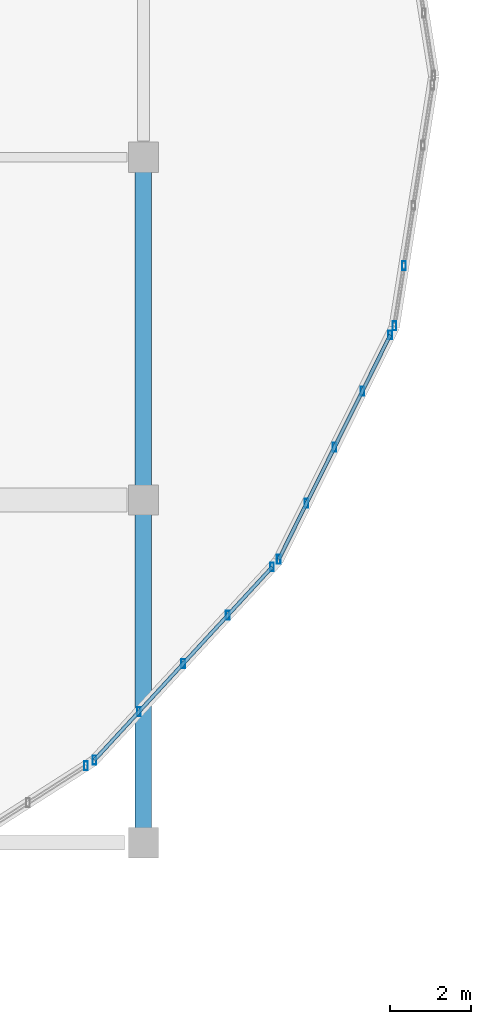
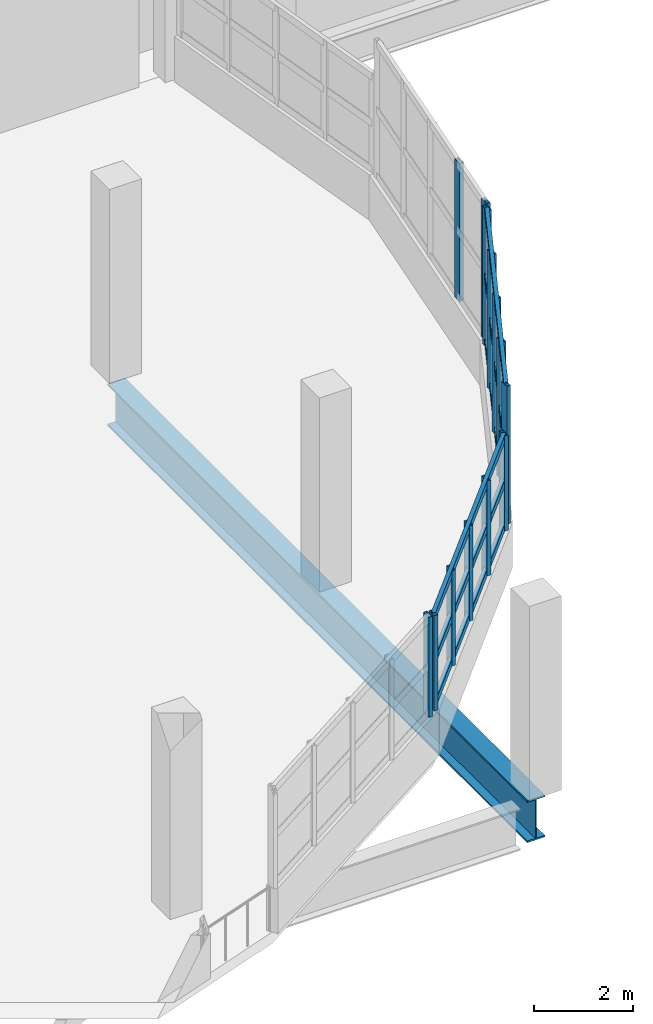
# One storey, part 24 of 117: 19 members, 1 beam, 4 elements without a shape of their own.
"""IFC4 building model written with IfcOpenShell, lengths in metres."""

from ifc_helpers import new_model, si_unit, direction, frame, origin, origin_2d, place, context, subcontext, project, spatial, hollow_rectangle, i_section, extrude, material, material_profile, profile_set, type_object, element, aggregate, save


model = new_model("IFC4")

# Units and contexts
model_context = context("Model", 3, precision=1e-05, world=origin(), true_north=direction((0.0, 1.0)))
body_context = subcontext(model_context, "Body", "Model", "MODEL_VIEW")
ifc_project = project(units=[si_unit("LENGTHUNIT", "METRE"), si_unit("AREAUNIT", "SQUARE_METRE"), si_unit("VOLUMEUNIT", "CUBIC_METRE"), si_unit("PLANEANGLEUNIT", "RADIAN"), si_unit("MASSUNIT", "GRAM", prefix="KILO")], contexts=[model_context])

# Site, building, storey
site_placement = place(None, origin())
site = spatial("IfcSite", under=ifc_project, at=site_placement, CompositionType="ELEMENT")
building_placement = place(site_placement, origin())
building = spatial("IfcBuilding", under=site, at=building_placement, Name="Solvento Point Concert Hall", CompositionType="ELEMENT")
storey_placement = place(building_placement, frame((0.0, 0.0, 5.39990234375)))
storey = spatial("IfcBuildingStorey", under=building, at=storey_placement, Name="L01", CompositionType="ELEMENT", Elevation=5.39990234375)

# Beam
ifc_material_1 = material(Name="Structural Steel ASTM A992 Grade 50", Category="steel")
ifc_material_profile_1 = material_profile(ifc_material_1, i_section(OverallWidth=0.408935546875, OverallDepth=1.041015625, WebThickness=0.031005859375, FlangeThickness=0.04443359375, at=origin_2d()), Name="W40X397")
ifc_profile_set_1 = profile_set([ifc_material_profile_1], Name="Structural Steel ASTM A992 Grade 50")
beam_type = type_object("IfcBeamType", Name="CantileverGirder_W40X397", PredefinedType="USERDEFINED", material=ifc_profile_set_1)
beam_placement = place(storey_placement, frame((82.800048828125, 34.0, -0.805419921875), z_axis=(0.0, -1.0, 0.0), x_axis=(1.0, 0.0, 0.0)))
element("IfcBeam", 1, at=beam_placement, inside=storey, type_object=beam_type, Name="Radial back-span girder CG-01 L01", ObjectType="GIRDER", PredefinedType="USERDEFINED", context=body_context, shape_type="SweptSolid", body=[
    extrude(i_section(OverallWidth=0.408935546875, OverallDepth=1.041015625, WebThickness=0.031005859375, FlangeThickness=0.04443359375, at=origin_2d()), origin(), (0.0, 0.0, 1.0), 17.0),
])

# Curtain wall, members
ifc_material_2 = material(Name="Anodized Bronze Aluminium", Category="aluminium")
curtain_wall_type = type_object("IfcCurtainWallType", Name="CurtainWall_RingRibbon_L01_02", PredefinedType="USERDEFINED", material=ifc_material_2)
curtain_wall_1_placement = place(storey_placement, origin())
curtain_wall_1 = element("IfcCurtainWall", 2, at=curtain_wall_1_placement, inside=storey, type_object=curtain_wall_type, Name="Unitised curtain wall CW-59 UCW-L01-107", ObjectType="UNITISED CURTAIN WALL", PredefinedType="USERDEFINED")
ifc_material_3 = material(Name="Anodized Bronze Aluminium", Category="aluminium")
ifc_material_profile_2 = material_profile(ifc_material_3, hollow_rectangle(XDim=0.090087890625, YDim=0.219970703125, WallThickness=0.00439453125, at=origin_2d()), Name="CW-MUL-90X220")
ifc_profile_set_2 = profile_set([ifc_material_profile_2], Name="Anodized Bronze Aluminium")
member_type_1 = type_object("IfcMemberType", Name="Mullion_90x220", PredefinedType="MULLION", material=ifc_profile_set_2)
member_1_placement = place(storey_placement, frame((89.259033203125, 31.30908203125, 1.1201171875), z_axis=(0.0, 0.0, 1.0), x_axis=(1.0, 0.0, 0.0)))
member_1 = element("IfcMember", 3, at=member_1_placement, type_object=member_type_1, Name="Curtain wall mullion ML-02", PredefinedType="MULLION", context=body_context, shape_type="SweptSolid", body=[
    extrude(hollow_rectangle(XDim=0.090087890625, YDim=0.219970703125, WallThickness=0.00439453125, at=origin_2d()), origin(), (0.0, 0.0, 1.0), 3.409912109375),
])
member_2_placement = place(storey_placement, frame((89.0234375, 29.81787109375, 1.1201171875), z_axis=(0.0, 0.0, 1.0), x_axis=(1.0, 0.0, 0.0)))
member_2 = element("IfcMember", 4, at=member_2_placement, type_object=member_type_1, Name="Curtain wall mullion ML-02", PredefinedType="MULLION", context=body_context, shape_type="SweptSolid", body=[
    extrude(hollow_rectangle(XDim=0.090087890625, YDim=0.219970703125, WallThickness=0.00439453125, at=origin_2d()), origin(), (0.0, 0.0, 1.0), 3.409912109375),
])
aggregate(curtain_wall_1, [member_1, member_2])

curtain_wall_2_placement = place(storey_placement, origin())
curtain_wall_2 = element("IfcCurtainWall", 5, at=curtain_wall_2_placement, inside=storey, type_object=curtain_wall_type, Name="Unitised curtain wall CW-59 UCW-L01-108", ObjectType="UNITISED CURTAIN WALL", PredefinedType="USERDEFINED")
member_3_placement = place(storey_placement, frame((88.9208984375, 29.59130859375, 1.1201171875), z_axis=(0.0, 0.0, 1.0), x_axis=(1.0, 0.0, 0.0)))
member_3 = element("IfcMember", 6, at=member_3_placement, type_object=member_type_1, Name="Curtain wall mullion ML-02", PredefinedType="MULLION", context=body_context, shape_type="SweptSolid", body=[
    extrude(hollow_rectangle(XDim=0.090087890625, YDim=0.219970703125, WallThickness=0.00439453125, at=origin_2d()), origin(), (0.0, 0.0, 1.0), 3.409912109375),
])
member_4_placement = place(storey_placement, frame((88.229248046875, 28.2001953125, 1.1201171875), z_axis=(0.0, 0.0, 1.0), x_axis=(1.0, 0.0, 0.0)))
member_4 = element("IfcMember", 7, at=member_4_placement, type_object=member_type_1, Name="Curtain wall mullion ML-02", PredefinedType="MULLION", context=body_context, shape_type="SweptSolid", body=[
    extrude(hollow_rectangle(XDim=0.090087890625, YDim=0.219970703125, WallThickness=0.00439453125, at=origin_2d()), origin(), (0.0, 0.0, 1.0), 3.409912109375),
])
member_5_placement = place(storey_placement, frame((87.537841796875, 26.80908203125, 1.1201171875), z_axis=(0.0, 0.0, 1.0), x_axis=(1.0, 0.0, 0.0)))
member_5 = element("IfcMember", 8, at=member_5_placement, type_object=member_type_1, Name="Curtain wall mullion ML-02", PredefinedType="MULLION", context=body_context, shape_type="SweptSolid", body=[
    extrude(hollow_rectangle(XDim=0.090087890625, YDim=0.219970703125, WallThickness=0.00439453125, at=origin_2d()), origin(), (0.0, 0.0, 1.0), 3.409912109375),
])
member_6_placement = place(storey_placement, frame((86.84619140625, 25.41796875, 1.1201171875), z_axis=(0.0, 0.0, 1.0), x_axis=(1.0, 0.0, 0.0)))
member_6 = element("IfcMember", 9, at=member_6_placement, type_object=member_type_1, Name="Curtain wall mullion ML-02", PredefinedType="MULLION", context=body_context, shape_type="SweptSolid", body=[
    extrude(hollow_rectangle(XDim=0.090087890625, YDim=0.219970703125, WallThickness=0.00439453125, at=origin_2d()), origin(), (0.0, 0.0, 1.0), 3.409912109375),
])
member_7_placement = place(storey_placement, frame((86.15478515625, 24.02685546875, 1.1201171875), z_axis=(0.0, 0.0, 1.0), x_axis=(1.0, 0.0, 0.0)))
member_7 = element("IfcMember", 10, at=member_7_placement, type_object=member_type_1, Name="Curtain wall mullion ML-02", PredefinedType="MULLION", context=body_context, shape_type="SweptSolid", body=[
    extrude(hollow_rectangle(XDim=0.090087890625, YDim=0.219970703125, WallThickness=0.00439453125, at=origin_2d()), origin(), (0.0, 0.0, 1.0), 3.409912109375),
])

curtain_wall_3_placement = place(storey_placement, origin())
curtain_wall_3 = element("IfcCurtainWall", 11, at=curtain_wall_3_placement, inside=storey, type_object=curtain_wall_type, Name="Unitised curtain wall CW-59 UCW-L01-109", ObjectType="UNITISED CURTAIN WALL", PredefinedType="USERDEFINED")
member_8_placement = place(storey_placement, frame((85.992431640625, 23.838134765625, 1.1201171875), z_axis=(0.0, 0.0, 1.0), x_axis=(1.0, 0.0, 0.0)))
member_8 = element("IfcMember", 12, at=member_8_placement, type_object=member_type_1, Name="Curtain wall mullion ML-02", PredefinedType="MULLION", context=body_context, shape_type="SweptSolid", body=[
    extrude(hollow_rectangle(XDim=0.090087890625, YDim=0.219970703125, WallThickness=0.00439453125, at=origin_2d()), origin(), (0.0, 0.0, 1.0), 2.35205078125),
])
member_9_placement = place(storey_placement, frame((84.890625, 22.6416015625, 1.1201171875), z_axis=(0.0, 0.0, 1.0), x_axis=(1.0, 0.0, 0.0)))
member_9 = element("IfcMember", 13, at=member_9_placement, type_object=member_type_1, Name="Curtain wall mullion ML-02", PredefinedType="MULLION", context=body_context, shape_type="SweptSolid", body=[
    extrude(hollow_rectangle(XDim=0.090087890625, YDim=0.219970703125, WallThickness=0.00439453125, at=origin_2d()), origin(), (0.0, 0.0, 1.0), 2.35205078125),
])
member_10_placement = place(storey_placement, frame((83.788818359375, 21.44482421875, 1.1201171875), z_axis=(0.0, 0.0, 1.0), x_axis=(1.0, 0.0, 0.0)))
member_10 = element("IfcMember", 14, at=member_10_placement, type_object=member_type_1, Name="Curtain wall mullion ML-02", PredefinedType="MULLION", context=body_context, shape_type="SweptSolid", body=[
    extrude(hollow_rectangle(XDim=0.090087890625, YDim=0.219970703125, WallThickness=0.00439453125, at=origin_2d()), origin(), (0.0, 0.0, 1.0), 2.35205078125),
])
member_11_placement = place(storey_placement, frame((82.68701171875, 20.248046875, 1.1201171875), z_axis=(0.0, 0.0, 1.0), x_axis=(1.0, 0.0, 0.0)))
member_11 = element("IfcMember", 15, at=member_11_placement, type_object=member_type_1, Name="Curtain wall mullion ML-02", PredefinedType="MULLION", context=body_context, shape_type="SweptSolid", body=[
    extrude(hollow_rectangle(XDim=0.090087890625, YDim=0.219970703125, WallThickness=0.00439453125, at=origin_2d()), origin(), (0.0, 0.0, 1.0), 2.35205078125),
])
member_12_placement = place(storey_placement, frame((81.5849609375, 19.051513671875, 1.1201171875), z_axis=(0.0, 0.0, 1.0), x_axis=(1.0, 0.0, 0.0)))
member_12 = element("IfcMember", 16, at=member_12_placement, type_object=member_type_1, Name="Curtain wall mullion ML-02", PredefinedType="MULLION", context=body_context, shape_type="SweptSolid", body=[
    extrude(hollow_rectangle(XDim=0.090087890625, YDim=0.219970703125, WallThickness=0.00439453125, at=origin_2d()), origin(), (0.0, 0.0, 1.0), 2.35205078125),
])

# Curtain wall, member
curtain_wall_4_placement = place(storey_placement, origin())
curtain_wall_4 = element("IfcCurtainWall", 17, at=curtain_wall_4_placement, inside=storey, type_object=curtain_wall_type, Name="Unitised curtain wall CW-59 UCW-L01-110", ObjectType="UNITISED CURTAIN WALL", PredefinedType="USERDEFINED")
member_13_placement = place(storey_placement, frame((81.37939453125, 18.910888671875, 1.1201171875), z_axis=(0.0, 0.0, 1.0), x_axis=(1.0, 0.0, 0.0)))
member_13 = element("IfcMember", 18, at=member_13_placement, type_object=member_type_1, Name="Curtain wall mullion ML-02", PredefinedType="MULLION", context=body_context, shape_type="SweptSolid", body=[
    extrude(hollow_rectangle(XDim=0.090087890625, YDim=0.219970703125, WallThickness=0.00439453125, at=origin_2d()), origin(), (0.0, 0.0, 1.0), 2.473876953125),
])
aggregate(curtain_wall_4, [member_13])

# Member
ifc_material_4 = material(Name="Anodized Bronze Aluminium", Category="aluminium")
ifc_material_profile_3 = material_profile(ifc_material_4, hollow_rectangle(XDim=0.090087890625, YDim=0.179931640625, WallThickness=0.00439453125, at=origin_2d()), Name="CW-TRN-90X180")
ifc_profile_set_3 = profile_set([ifc_material_profile_3], Name="Anodized Bronze Aluminium")
member_type_2 = type_object("IfcMemberType", Name="Transom_90x180", PredefinedType="USERDEFINED", material=ifc_profile_set_3)
member_14_placement = place(storey_placement, frame((88.9208984375, 29.59130859375, 1.2001953125), z_axis=(-0.445137963358, -0.895462000075, 0.0), x_axis=(0.895462000075, -0.445137963358, 0.0)))
member_14 = element("IfcMember", 19, at=member_14_placement, type_object=member_type_2, Name="Curtain wall transom TR-02", ObjectType="TRANSOM", PredefinedType="USERDEFINED", context=body_context, shape_type="SweptSolid", body=[
    extrude(hollow_rectangle(XDim=0.090087890625, YDim=0.179931640625, WallThickness=0.00439453125, at=origin_2d()), origin(), (0.0, 0.0, 1.0), 6.214111328125),
])

member_15_placement = place(storey_placement, frame((88.9208984375, 29.59130859375, 2.8251953125), z_axis=(-0.445137963358, -0.895462000075, 0.0), x_axis=(0.895462000075, -0.445137963358, 0.0)))
member_15 = element("IfcMember", 20, at=member_15_placement, type_object=member_type_2, Name="Curtain wall transom TR-02", ObjectType="TRANSOM", PredefinedType="USERDEFINED", context=body_context, shape_type="SweptSolid", body=[
    extrude(hollow_rectangle(XDim=0.090087890625, YDim=0.179931640625, WallThickness=0.00439453125, at=origin_2d()), origin(), (0.0, 0.0, 1.0), 6.214111328125),
])

member_16_placement = place(storey_placement, frame((88.9208984375, 29.59130859375, 4.4501953125), z_axis=(-0.445137963358, -0.895462000075, 0.0), x_axis=(0.895462000075, -0.445137963358, 0.0)))
member_16 = element("IfcMember", 21, at=member_16_placement, type_object=member_type_2, Name="Curtain wall transom TR-02", ObjectType="TRANSOM", PredefinedType="USERDEFINED", context=body_context, shape_type="SweptSolid", body=[
    extrude(hollow_rectangle(XDim=0.090087890625, YDim=0.179931640625, WallThickness=0.00439453125, at=origin_2d()), origin(), (0.0, 0.0, 1.0), 6.214111328125),
])

aggregate(curtain_wall_2, [member_3, member_4, member_5, member_6, member_7, member_14, member_15, member_16])

member_17_placement = place(storey_placement, frame((85.992431640625, 23.838134765625, 1.2001953125), z_axis=(-0.677371042666, -0.735641536726, 0.0), x_axis=(0.735641536726, -0.677371042666, 0.0)))
member_17 = element("IfcMember", 22, at=member_17_placement, type_object=member_type_2, Name="Curtain wall transom TR-02", ObjectType="TRANSOM", PredefinedType="USERDEFINED", context=body_context, shape_type="SweptSolid", body=[
    extrude(hollow_rectangle(XDim=0.090087890625, YDim=0.179931640625, WallThickness=0.00439453125, at=origin_2d()), origin(), (0.0, 0.0, 1.0), 6.5068359375),
])

member_18_placement = place(storey_placement, frame((85.992431640625, 23.838134765625, 2.296142578125), z_axis=(-0.677371042666, -0.735641536726, 0.0), x_axis=(0.735641536726, -0.677371042666, 0.0)))
member_18 = element("IfcMember", 23, at=member_18_placement, type_object=member_type_2, Name="Curtain wall transom TR-02", ObjectType="TRANSOM", PredefinedType="USERDEFINED", context=body_context, shape_type="SweptSolid", body=[
    extrude(hollow_rectangle(XDim=0.090087890625, YDim=0.179931640625, WallThickness=0.00439453125, at=origin_2d()), origin(), (0.0, 0.0, 1.0), 6.5068359375),
])

member_19_placement = place(storey_placement, frame((85.992431640625, 23.838134765625, 3.39208984375), z_axis=(-0.677371042666, -0.735641536726, 0.0), x_axis=(0.735641536726, -0.677371042666, 0.0)))
member_19 = element("IfcMember", 24, at=member_19_placement, type_object=member_type_2, Name="Curtain wall transom TR-02", ObjectType="TRANSOM", PredefinedType="USERDEFINED", context=body_context, shape_type="SweptSolid", body=[
    extrude(hollow_rectangle(XDim=0.090087890625, YDim=0.179931640625, WallThickness=0.00439453125, at=origin_2d()), origin(), (0.0, 0.0, 1.0), 6.5068359375),
])

aggregate(curtain_wall_3, [member_8, member_9, member_10, member_11, member_12, member_17, member_18, member_19])

save(model, "model.ifc")
